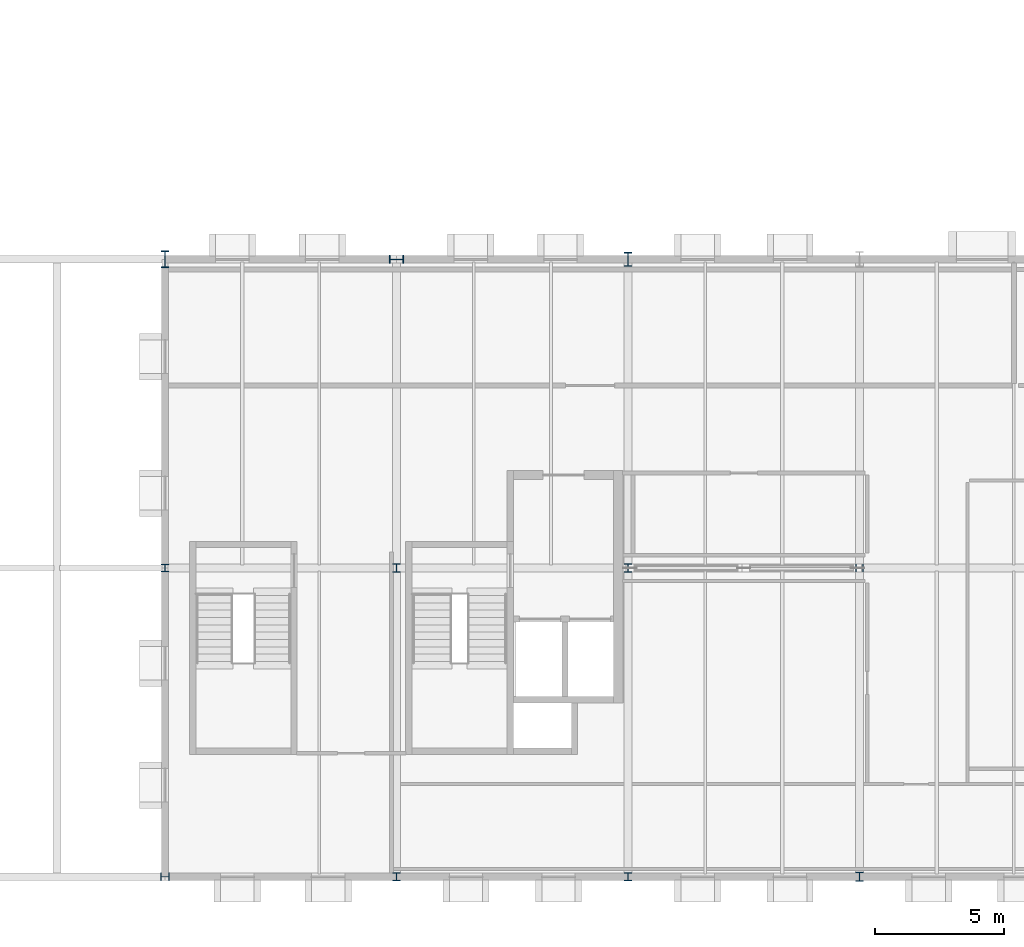
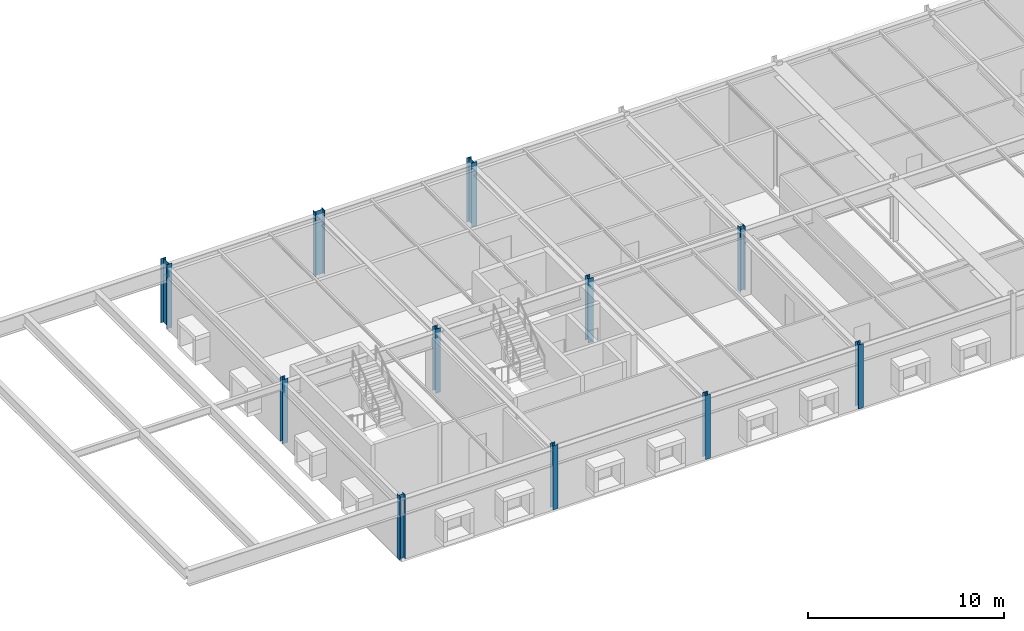
# One storey, part 1 of 36: 11 columns.
"""IFC4 building model written with IfcOpenShell, lengths in metres."""

from ifc_helpers import new_model, si_unit, direction, frame, origin, origin_2d, place, context, subcontext, project, spatial, i_section, extrude, material, material_profile, profile_set, type_object, element, save


model = new_model("IFC4")

# Units and contexts
model_context = context("Model", 3, precision=1e-05, world=origin(), true_north=direction((0.0, 1.0)))
body_context = subcontext(model_context, "Body", "Model", "MODEL_VIEW")
ifc_project = project(units=[si_unit("LENGTHUNIT", "METRE"), si_unit("AREAUNIT", "SQUARE_METRE"), si_unit("VOLUMEUNIT", "CUBIC_METRE"), si_unit("PLANEANGLEUNIT", "RADIAN"), si_unit("MASSUNIT", "GRAM", prefix="KILO")], contexts=[model_context])

# Site, building, storey
site_placement = place(None, origin())
site = spatial("IfcSite", under=ifc_project, at=site_placement, CompositionType="ELEMENT")
building_placement = place(site_placement, origin())
building = spatial("IfcBuilding", under=site, at=building_placement, Name="Montelvaro Courts of Justice", CompositionType="ELEMENT")
storey_placement = place(building_placement, frame((0.0, 0.0, 23.39990234375)))
storey = spatial("IfcBuildingStorey", under=building, at=storey_placement, Name="L05", CompositionType="ELEMENT", Elevation=23.39990234375)

# Columns
ifc_material = material(Name="Steel S355", Category="steel")
ifc_material_profile_1 = material_profile(ifc_material, i_section(OverallWidth=0.300048828125, OverallDepth=0.300048828125, WebThickness=0.010986328125, FlangeThickness=0.01904296875, at=origin_2d()), Name="HEB 300")
ifc_profile_set_1 = profile_set([ifc_material_profile_1], Name="Steel S355")
column_type_1 = type_object("IfcColumnType", Name="Col_HEB300", PredefinedType="COLUMN", material=ifc_profile_set_1)
for number, where, z_axis, x_axis, name in (
    (1, (45.0, 12.0, 0.0), (0.0, 0.0, 1.0), (1.0, 0.0, 0.0), "Column C-03 L05 6/B"),
    (2, (54.0, 0.0, 0.0), (0.0, 0.0, 1.0), (1.0, 0.0, 0.0), "Column C-03 L05 7/A"),
    (3, (72.0, 12.0, 0.0), (0.0, 0.0, 1.0), (0.0, 1.0, 0.0), "Column C-03 L05 9/B"),
):
    element("IfcColumn", number, at=place(storey_placement, frame(where, z_axis=z_axis, x_axis=x_axis)), inside=storey, type_object=column_type_1, Name=name, PredefinedType="COLUMN", context=body_context, shape_type="SweptSolid", body=[
        extrude(i_section(OverallWidth=0.300048828125, OverallDepth=0.300048828125, WebThickness=0.010986328125, FlangeThickness=0.01904296875, at=origin_2d()), origin(), (0.0, 0.0, 1.0), 4.0),
    ])
ifc_material_profile_2 = material_profile(ifc_material, i_section(OverallWidth=0.300048828125, OverallDepth=0.320068359375, WebThickness=0.011474609375, FlangeThickness=0.0205078125, at=origin_2d()), Name="HEB 320")
ifc_profile_set_2 = profile_set([ifc_material_profile_2], Name="Steel S355")
column_type_2 = type_object("IfcColumnType", Name="Col_HEB320", PredefinedType="COLUMN", material=ifc_profile_set_2)
for number, where, z_axis, x_axis, name in (
    (4, (54.0, 12.0, 0.0), (0.0, 0.0, 1.0), (1.0, 0.0, 0.0), "Column C-04 L05 7/B"),
    (5, (63.0, 0.0, 0.0), (0.0, 0.0, 1.0), (1.0, 0.0, 0.0), "Column C-04 L05 8/A"),
):
    element("IfcColumn", number, at=place(storey_placement, frame(where, z_axis=z_axis, x_axis=x_axis)), inside=storey, type_object=column_type_2, Name=name, PredefinedType="COLUMN", context=body_context, shape_type="SweptSolid", body=[
        extrude(i_section(OverallWidth=0.300048828125, OverallDepth=0.320068359375, WebThickness=0.011474609375, FlangeThickness=0.0205078125, at=origin_2d()), origin(), (0.0, 0.0, 1.0), 4.0),
    ])
ifc_material_profile_3 = material_profile(ifc_material, i_section(OverallWidth=0.300048828125, OverallDepth=0.340087890625, WebThickness=0.011962890625, FlangeThickness=0.021484375, at=origin_2d()), Name="HEB 340")
ifc_profile_set_3 = profile_set([ifc_material_profile_3], Name="Steel S355")
column_type_3 = type_object("IfcColumnType", Name="Col_HEB340", PredefinedType="COLUMN", material=ifc_profile_set_3)
for number, where, z_axis, x_axis, name in (
    (6, (45.0, 0.0, 0.0), (0.0, 0.0, 1.0), (0.0, 1.0, 0.0), "Column C-05 L05 6/A"),
    (7, (63.0, 12.0, 0.0), (0.0, 0.0, 1.0), (1.0, 0.0, 0.0), "Column C-05 L05 8/B"),
    (8, (72.0, 0.0, 0.0), (0.0, 0.0, 1.0), (1.0, 0.0, 0.0), "Column C-05 L05 9/A"),
):
    element("IfcColumn", number, at=place(storey_placement, frame(where, z_axis=z_axis, x_axis=x_axis)), inside=storey, type_object=column_type_3, Name=name, PredefinedType="COLUMN", context=body_context, shape_type="SweptSolid", body=[
        extrude(i_section(OverallWidth=0.300048828125, OverallDepth=0.340087890625, WebThickness=0.011962890625, FlangeThickness=0.021484375, at=origin_2d()), origin(), (0.0, 0.0, 1.0), 4.0),
    ])
ifc_material_profile_4 = material_profile(ifc_material, i_section(OverallWidth=0.300048828125, OverallDepth=0.550048828125, WebThickness=0.014892578125, FlangeThickness=0.029052734375, at=origin_2d()), Name="HEB 550")
ifc_profile_set_4 = profile_set([ifc_material_profile_4], Name="Steel S355")
column_type_4 = type_object("IfcColumnType", Name="Col_HEB550", PredefinedType="COLUMN", material=ifc_profile_set_4)
for number, where, z_axis, x_axis, name in (
    (9, (54.0, 24.0, 0.0), (0.0, 0.0, 1.0), (0.0, 1.0, 0.0), "Column C-10 L05 7/C"),
    (10, (63.0, 24.0, 0.0), (0.0, 0.0, 1.0), (1.0, 0.0, 0.0), "Column C-10 L05 8/C"),
):
    element("IfcColumn", number, at=place(storey_placement, frame(where, z_axis=z_axis, x_axis=x_axis)), inside=storey, type_object=column_type_4, Name=name, PredefinedType="COLUMN", context=body_context, shape_type="SweptSolid", body=[
        extrude(i_section(OverallWidth=0.300048828125, OverallDepth=0.550048828125, WebThickness=0.014892578125, FlangeThickness=0.029052734375, at=origin_2d()), origin(), (0.0, 0.0, 1.0), 4.0),
    ])
ifc_material_profile_5 = material_profile(ifc_material, i_section(OverallWidth=0.300048828125, OverallDepth=0.64990234375, WebThickness=0.01611328125, FlangeThickness=0.031005859375, at=origin_2d()), Name="HEB 650")
ifc_profile_set_5 = profile_set([ifc_material_profile_5], Name="Steel S355")
column_type_5 = type_object("IfcColumnType", Name="Col_HEB650", PredefinedType="COLUMN", material=ifc_profile_set_5)
column_placement = place(storey_placement, frame((45.0, 24.0, 0.0), z_axis=(0.0, 0.0, 1.0), x_axis=(1.0, 0.0, 0.0)))
element("IfcColumn", 11, at=column_placement, inside=storey, type_object=column_type_5, Name="Column C-12 L05 6/C", PredefinedType="COLUMN", context=body_context, shape_type="SweptSolid", body=[
    extrude(i_section(OverallWidth=0.300048828125, OverallDepth=0.64990234375, WebThickness=0.01611328125, FlangeThickness=0.031005859375, at=origin_2d()), origin(), (0.0, 0.0, 1.0), 4.0),
])

save(model, "model.ifc")
